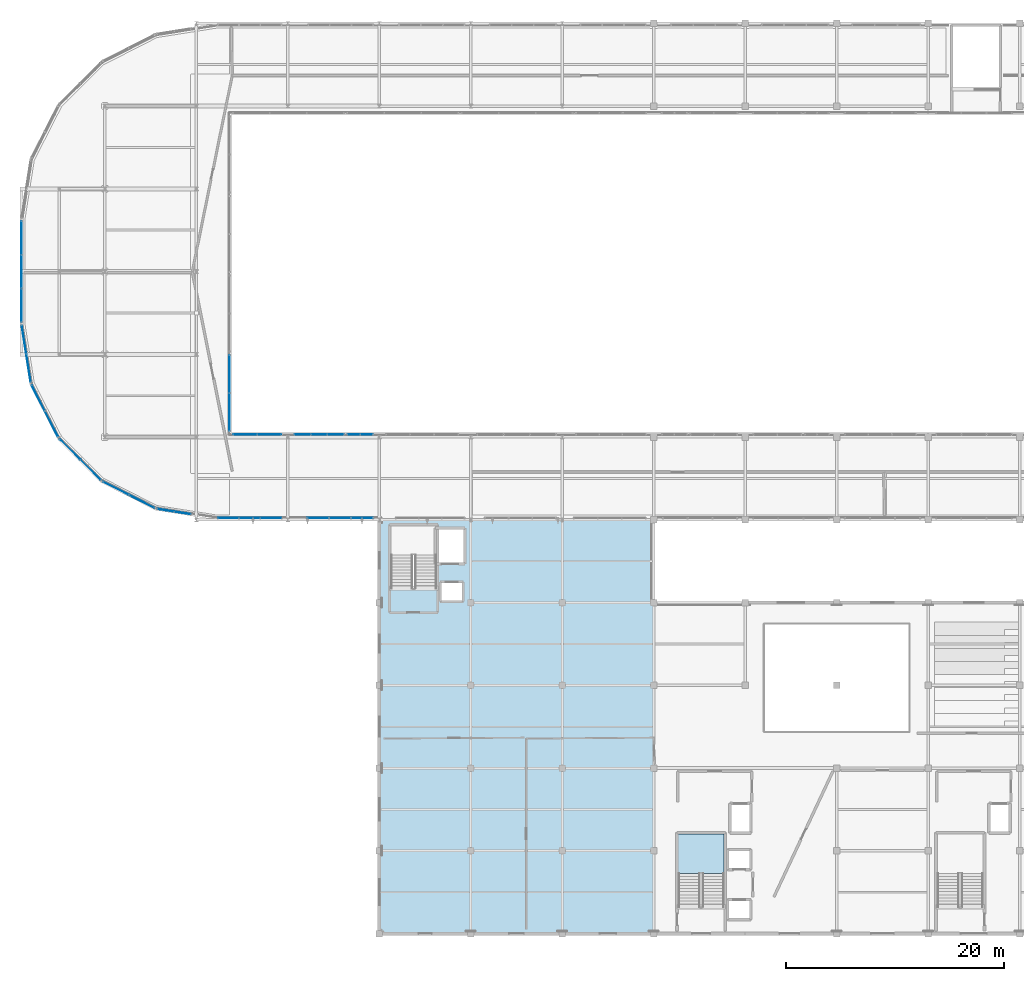
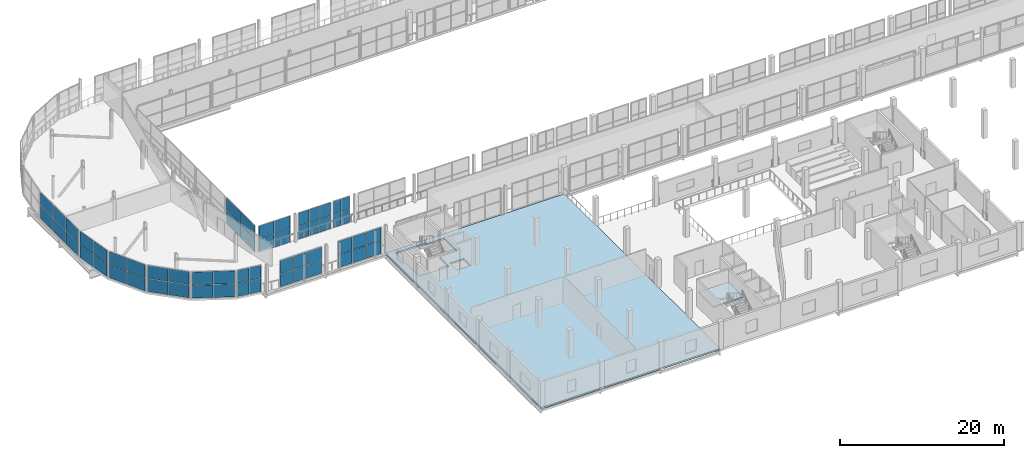
# One storey, part 112 of 151: 56 plates, 2 slabs, 13 elements without a shape of their own.
"""IFC4 building model written with IfcOpenShell, lengths in metres."""

from ifc_helpers import new_model, si_unit, direction, frame, origin, origin_2d, place, context, subcontext, project, spatial, polyline, rectangle, outline, extrude, material, layer, layer_set, type_object, element, aggregate, save


model = new_model("IFC4")

# Units and contexts
model_context = context("Model", 3, precision=1e-05, world=origin(), true_north=direction((0.0, 1.0)))
body_context = subcontext(model_context, "Body", "Model", "MODEL_VIEW")
ifc_project = project(units=[si_unit("LENGTHUNIT", "METRE"), si_unit("AREAUNIT", "SQUARE_METRE"), si_unit("VOLUMEUNIT", "CUBIC_METRE"), si_unit("PLANEANGLEUNIT", "RADIAN"), si_unit("MASSUNIT", "GRAM", prefix="KILO")], contexts=[model_context])

# Site, building, storey
site_placement = place(None, origin())
site = spatial("IfcSite", under=ifc_project, at=site_placement, CompositionType="ELEMENT")
building_placement = place(site_placement, origin())
building = spatial("IfcBuilding", under=site, at=building_placement, Name="Zuvorla Pavilion Media Centre", CompositionType="ELEMENT")
storey_placement = place(building_placement, frame((0.0, 0.0, 13.800048828125)))
storey = spatial("IfcBuildingStorey", under=building, at=storey_placement, Name="L03", CompositionType="ELEMENT", Elevation=13.800048828125)

# Curtain wall, plates
ifc_material_1 = material(Name="Unitised anodised aluminium and solar glass curtain wall", Category="aluminium")
curtain_wall_type_1 = type_object("IfcCurtainWallType", Name="CW-SYS-59", PredefinedType="USERDEFINED", material=ifc_material_1)
curtain_wall_1_placement = place(storey_placement, origin())
curtain_wall_1 = element("IfcCurtainWall", 1, at=curtain_wall_1_placement, inside=storey, type_object=curtain_wall_type_1, Name="L03 curtain wall CW59 126", ObjectType="CURTAIN WALL", PredefinedType="USERDEFINED")
ifc_material_2 = material(Name="Solar control double glazing", Category="glass")
ifc_layer_1 = layer(ifc_material_2, 0.028076171875)
ifc_layer_set_1 = layer_set([ifc_layer_1], Name="Solar control double glazing")
plate_type_1 = type_object("IfcPlateType", Name="CW-PNL-28", PredefinedType="CURTAIN_PANEL", material=ifc_layer_set_1)
plate_1_placement = place(storey_placement, frame((8.739990234375, 69.893310546875, 0.030029296875), z_axis=(0.0, 0.0, 1.0), x_axis=(0.0, -1.0, 0.0)))
plate_1 = element("IfcPlate", 2, at=plate_1_placement, type_object=plate_type_1, Name="CW59 panel 1.1", PredefinedType="CURTAIN_PANEL", context=body_context, shape_type="SweptSolid", body=[
    extrude(rectangle(XDim=3.033447265625, YDim=0.028076171875, at=origin_2d()), origin(), (0.0, 0.0, 1.0), 1.919921875),
])
plate_2_placement = place(storey_placement, frame((8.739990234375, 69.893310546875, 2.010009765625), z_axis=(0.0, 0.0, 1.0), x_axis=(0.0, -1.0, 0.0)))
plate_2 = element("IfcPlate", 3, at=plate_2_placement, type_object=plate_type_1, Name="CW59 panel 1.2", PredefinedType="CURTAIN_PANEL", context=body_context, shape_type="SweptSolid", body=[
    extrude(rectangle(XDim=3.033447265625, YDim=0.028076171875, at=origin_2d()), origin(), (0.0, 0.0, 1.0), 1.919921875),
])
plate_3_placement = place(storey_placement, frame((8.739990234375, 66.800048828125, 0.030029296875), z_axis=(0.0, 0.0, 1.0), x_axis=(0.0, -1.0, 0.0)))
plate_3 = element("IfcPlate", 4, at=plate_3_placement, type_object=plate_type_1, Name="CW59 panel 2.1", PredefinedType="CURTAIN_PANEL", context=body_context, shape_type="SweptSolid", body=[
    extrude(rectangle(XDim=3.033447265625, YDim=0.028076171875, at=origin_2d()), origin(), (0.0, 0.0, 1.0), 1.919921875),
])
plate_4_placement = place(storey_placement, frame((8.739990234375, 66.800048828125, 2.010009765625), z_axis=(0.0, 0.0, 1.0), x_axis=(0.0, -1.0, 0.0)))
plate_4 = element("IfcPlate", 5, at=plate_4_placement, type_object=plate_type_1, Name="CW59 panel 2.2", PredefinedType="CURTAIN_PANEL", context=body_context, shape_type="SweptSolid", body=[
    extrude(rectangle(XDim=3.033447265625, YDim=0.028076171875, at=origin_2d()), origin(), (0.0, 0.0, 1.0), 1.919921875),
])
plate_5_placement = place(storey_placement, frame((8.739990234375, 63.706787109375, 0.030029296875), z_axis=(0.0, 0.0, 1.0), x_axis=(0.0, -1.0, 0.0)))
plate_5 = element("IfcPlate", 6, at=plate_5_placement, type_object=plate_type_1, Name="CW59 panel 3.1", PredefinedType="CURTAIN_PANEL", context=body_context, shape_type="SweptSolid", body=[
    extrude(rectangle(XDim=3.033447265625, YDim=0.028076171875, at=origin_2d()), origin(), (0.0, 0.0, 1.0), 1.919921875),
])
plate_6_placement = place(storey_placement, frame((8.739990234375, 63.706787109375, 2.010009765625), z_axis=(0.0, 0.0, 1.0), x_axis=(0.0, -1.0, 0.0)))
plate_6 = element("IfcPlate", 7, at=plate_6_placement, type_object=plate_type_1, Name="CW59 panel 3.2", PredefinedType="CURTAIN_PANEL", context=body_context, shape_type="SweptSolid", body=[
    extrude(rectangle(XDim=3.033447265625, YDim=0.028076171875, at=origin_2d()), origin(), (0.0, 0.0, 1.0), 1.919921875),
])
aggregate(curtain_wall_1, [plate_1, plate_2, plate_3, plate_4, plate_5, plate_6])

curtain_wall_type_2 = type_object("IfcCurtainWallType", Name="CW-SYS-04", PredefinedType="USERDEFINED", material=ifc_material_1)
curtain_wall_2_placement = place(storey_placement, origin())
curtain_wall_2 = element("IfcCurtainWall", 8, at=curtain_wall_2_placement, inside=storey, type_object=curtain_wall_type_2, Name="L03 curtain wall CW04 129", ObjectType="CURTAIN WALL", PredefinedType="USERDEFINED")
plate_7_placement = place(storey_placement, frame((13.188720703125, 50.466796875, 0.030029296875), z_axis=(0.0, 0.0, 1.0), x_axis=(0.707106781187, -0.707106781187, 0.0)))
plate_7 = element("IfcPlate", 9, at=plate_7_placement, type_object=plate_type_1, Name="CW04 panel 1.1", PredefinedType="CURTAIN_PANEL", context=body_context, shape_type="SweptSolid", body=[
    extrude(rectangle(XDim=2.595947265625, YDim=0.028076171875, at=origin_2d()), origin(), (0.0, 0.0, 1.0), 1.919921875),
])
plate_8_placement = place(storey_placement, frame((13.188720703125, 50.466796875, 2.010009765625), z_axis=(0.0, 0.0, 1.0), x_axis=(0.707106781187, -0.707106781187, 0.0)))
plate_8 = element("IfcPlate", 10, at=plate_8_placement, type_object=plate_type_1, Name="CW04 panel 1.2", PredefinedType="CURTAIN_PANEL", context=body_context, shape_type="SweptSolid", body=[
    extrude(rectangle(XDim=2.595947265625, YDim=0.028076171875, at=origin_2d()), origin(), (0.0, 0.0, 1.0), 1.919921875),
])
plate_9_placement = place(storey_placement, frame((15.06689453125, 48.5888671875, 0.030029296875), z_axis=(0.0, 0.0, 1.0), x_axis=(0.707106781187, -0.707106781187, 0.0)))
plate_9 = element("IfcPlate", 11, at=plate_9_placement, type_object=plate_type_1, Name="CW04 panel 2.1", PredefinedType="CURTAIN_PANEL", context=body_context, shape_type="SweptSolid", body=[
    extrude(rectangle(XDim=2.595947265625, YDim=0.028076171875, at=origin_2d()), origin(), (0.0, 0.0, 1.0), 1.919921875),
])
plate_10_placement = place(storey_placement, frame((15.06689453125, 48.5888671875, 2.010009765625), z_axis=(0.0, 0.0, 1.0), x_axis=(0.707106781187, -0.707106781187, 0.0)))
plate_10 = element("IfcPlate", 12, at=plate_10_placement, type_object=plate_type_1, Name="CW04 panel 2.2", PredefinedType="CURTAIN_PANEL", context=body_context, shape_type="SweptSolid", body=[
    extrude(rectangle(XDim=2.595947265625, YDim=0.028076171875, at=origin_2d()), origin(), (0.0, 0.0, 1.0), 1.919921875),
])
aggregate(curtain_wall_2, [plate_7, plate_8, plate_9, plate_10])

curtain_wall_type_3 = type_object("IfcCurtainWallType", Name="CW-SYS-28", PredefinedType="USERDEFINED", material=ifc_material_1)
curtain_wall_3_placement = place(storey_placement, origin())
curtain_wall_3 = element("IfcCurtainWall", 13, at=curtain_wall_3_placement, inside=storey, type_object=curtain_wall_type_3, Name="L03 curtain wall CW28 148", ObjectType="CURTAIN WALL", PredefinedType="USERDEFINED")
plate_11_placement = place(storey_placement, frame((29.2744140625, 51.840087890625, 0.030029296875), z_axis=(0.0, 0.0, 1.0), x_axis=(1.0, 0.0, 0.0)))
plate_11 = element("IfcPlate", 14, at=plate_11_placement, type_object=plate_type_1, Name="CW28 panel 1.1", PredefinedType="CURTAIN_PANEL", context=body_context, shape_type="SweptSolid", body=[
    extrude(rectangle(XDim=2.1689453125, YDim=0.028076171875, at=origin_2d()), origin(), (0.0, 0.0, 1.0), 1.919921875),
])
plate_12_placement = place(storey_placement, frame((29.2744140625, 51.840087890625, 2.010009765625), z_axis=(0.0, 0.0, 1.0), x_axis=(1.0, 0.0, 0.0)))
plate_12 = element("IfcPlate", 15, at=plate_12_placement, type_object=plate_type_1, Name="CW28 panel 1.2", PredefinedType="CURTAIN_PANEL", context=body_context, shape_type="SweptSolid", body=[
    extrude(rectangle(XDim=2.1689453125, YDim=0.028076171875, at=origin_2d()), origin(), (0.0, 0.0, 1.0), 1.919921875),
])
plate_13_placement = place(storey_placement, frame((31.503662109375, 51.840087890625, 0.030029296875), z_axis=(0.0, 0.0, 1.0), x_axis=(1.0, 0.0, 0.0)))
plate_13 = element("IfcPlate", 16, at=plate_13_placement, type_object=plate_type_1, Name="CW28 panel 2.1", PredefinedType="CURTAIN_PANEL", context=body_context, shape_type="SweptSolid", body=[
    extrude(rectangle(XDim=2.1689453125, YDim=0.028076171875, at=origin_2d()), origin(), (0.0, 0.0, 1.0), 1.919921875),
])
plate_14_placement = place(storey_placement, frame((31.503662109375, 51.840087890625, 2.010009765625), z_axis=(0.0, 0.0, 1.0), x_axis=(1.0, 0.0, 0.0)))
plate_14 = element("IfcPlate", 17, at=plate_14_placement, type_object=plate_type_1, Name="CW28 panel 2.2", PredefinedType="CURTAIN_PANEL", context=body_context, shape_type="SweptSolid", body=[
    extrude(rectangle(XDim=2.1689453125, YDim=0.028076171875, at=origin_2d()), origin(), (0.0, 0.0, 1.0), 1.919921875),
])
aggregate(curtain_wall_3, [plate_11, plate_12, plate_13, plate_14])

curtain_wall_type_4 = type_object("IfcCurtainWallType", Name="CW-SYS-29", PredefinedType="USERDEFINED", material=ifc_material_1)
curtain_wall_4_placement = place(storey_placement, origin())
curtain_wall_4 = element("IfcCurtainWall", 18, at=curtain_wall_4_placement, inside=storey, type_object=curtain_wall_type_4, Name="L03 curtain wall CW29 149", ObjectType="CURTAIN WALL", PredefinedType="USERDEFINED")
plate_15_placement = place(storey_placement, frame((34.54150390625, 51.840087890625, 0.030029296875), z_axis=(0.0, 0.0, 1.0), x_axis=(1.0, 0.0, 0.0)))
plate_15 = element("IfcPlate", 19, at=plate_15_placement, type_object=plate_type_1, Name="CW29 panel 1.1", PredefinedType="CURTAIN_PANEL", context=body_context, shape_type="SweptSolid", body=[
    extrude(rectangle(XDim=1.45947265625, YDim=0.028076171875, at=origin_2d()), origin(), (0.0, 0.0, 1.0), 1.919921875),
])
plate_16_placement = place(storey_placement, frame((34.54150390625, 51.840087890625, 2.010009765625), z_axis=(0.0, 0.0, 1.0), x_axis=(1.0, 0.0, 0.0)))
plate_16 = element("IfcPlate", 20, at=plate_16_placement, type_object=plate_type_1, Name="CW29 panel 1.2", PredefinedType="CURTAIN_PANEL", context=body_context, shape_type="SweptSolid", body=[
    extrude(rectangle(XDim=1.45947265625, YDim=0.028076171875, at=origin_2d()), origin(), (0.0, 0.0, 1.0), 1.919921875),
])
plate_17_placement = place(storey_placement, frame((36.06103515625, 51.840087890625, 0.030029296875), z_axis=(0.0, 0.0, 1.0), x_axis=(1.0, 0.0, 0.0)))
plate_17 = element("IfcPlate", 21, at=plate_17_placement, type_object=plate_type_1, Name="CW29 panel 2.1", PredefinedType="CURTAIN_PANEL", context=body_context, shape_type="SweptSolid", body=[
    extrude(rectangle(XDim=1.45947265625, YDim=0.028076171875, at=origin_2d()), origin(), (0.0, 0.0, 1.0), 1.919921875),
])
plate_18_placement = place(storey_placement, frame((36.06103515625, 51.840087890625, 2.010009765625), z_axis=(0.0, 0.0, 1.0), x_axis=(1.0, 0.0, 0.0)))
plate_18 = element("IfcPlate", 22, at=plate_18_placement, type_object=plate_type_1, Name="CW29 panel 2.2", PredefinedType="CURTAIN_PANEL", context=body_context, shape_type="SweptSolid", body=[
    extrude(rectangle(XDim=1.45947265625, YDim=0.028076171875, at=origin_2d()), origin(), (0.0, 0.0, 1.0), 1.919921875),
])
plate_19_placement = place(storey_placement, frame((37.580322265625, 51.840087890625, 0.030029296875), z_axis=(0.0, 0.0, 1.0), x_axis=(1.0, 0.0, 0.0)))
plate_19 = element("IfcPlate", 23, at=plate_19_placement, type_object=plate_type_1, Name="CW29 panel 3.1", PredefinedType="CURTAIN_PANEL", context=body_context, shape_type="SweptSolid", body=[
    extrude(rectangle(XDim=1.45947265625, YDim=0.028076171875, at=origin_2d()), origin(), (0.0, 0.0, 1.0), 1.919921875),
])
plate_20_placement = place(storey_placement, frame((37.580322265625, 51.840087890625, 2.010009765625), z_axis=(0.0, 0.0, 1.0), x_axis=(1.0, 0.0, 0.0)))
plate_20 = element("IfcPlate", 24, at=plate_20_placement, type_object=plate_type_1, Name="CW29 panel 3.2", PredefinedType="CURTAIN_PANEL", context=body_context, shape_type="SweptSolid", body=[
    extrude(rectangle(XDim=1.45947265625, YDim=0.028076171875, at=origin_2d()), origin(), (0.0, 0.0, 1.0), 1.919921875),
])
aggregate(curtain_wall_4, [plate_15, plate_16, plate_17, plate_18, plate_19, plate_20])

curtain_wall_type_5 = type_object("IfcCurtainWallType", Name="CW-SYS-02", PredefinedType="USERDEFINED", material=ifc_material_1)
curtain_wall_5_placement = place(storey_placement, origin())
curtain_wall_5 = element("IfcCurtainWall", 25, at=curtain_wall_5_placement, inside=storey, type_object=curtain_wall_type_5, Name="L03 curtain wall CW02 127", ObjectType="CURTAIN WALL", PredefinedType="USERDEFINED")
ifc_material_3 = material(Name="Acoustic laminated solar glazing", Category="glass")
ifc_layer_2 = layer(ifc_material_3, 0.033935546875)
ifc_layer_set_2 = layer_set([ifc_layer_2], Name="Acoustic laminated solar glazing")
plate_type_2 = type_object("IfcPlateType", Name="CW-PNL-34", PredefinedType="CURTAIN_PANEL", material=ifc_layer_set_2)
plate_21_placement = place(storey_placement, frame((8.970947265625, 60.55224609375, 0.030029296875), z_axis=(0.0, 0.0, 1.0), x_axis=(0.156428534885, -0.987689279821, 0.0)))
plate_21 = element("IfcPlate", 26, at=plate_21_placement, type_object=plate_type_2, Name="CW02 panel 1.1", PredefinedType="CURTAIN_PANEL", context=body_context, shape_type="SweptSolid", body=[
    extrude(rectangle(XDim=2.595947265625, YDim=0.033935546875, at=origin_2d()), origin(), (0.0, 0.0, 1.0), 1.919921875),
])
plate_22_placement = place(storey_placement, frame((8.970947265625, 60.55224609375, 2.010009765625), z_axis=(0.0, 0.0, 1.0), x_axis=(0.156428534885, -0.987689279821, 0.0)))
plate_22 = element("IfcPlate", 27, at=plate_22_placement, type_object=plate_type_2, Name="CW02 panel 1.2", PredefinedType="CURTAIN_PANEL", context=body_context, shape_type="SweptSolid", body=[
    extrude(rectangle(XDim=2.595947265625, YDim=0.033935546875, at=origin_2d()), origin(), (0.0, 0.0, 1.0), 1.919921875),
])
plate_23_placement = place(storey_placement, frame((9.386474609375, 57.92919921875, 0.030029296875), z_axis=(0.0, 0.0, 1.0), x_axis=(0.156428534885, -0.987689279821, 0.0)))
plate_23 = element("IfcPlate", 28, at=plate_23_placement, type_object=plate_type_2, Name="CW02 panel 2.1", PredefinedType="CURTAIN_PANEL", context=body_context, shape_type="SweptSolid", body=[
    extrude(rectangle(XDim=2.595947265625, YDim=0.033935546875, at=origin_2d()), origin(), (0.0, 0.0, 1.0), 1.919921875),
])
plate_24_placement = place(storey_placement, frame((9.386474609375, 57.92919921875, 2.010009765625), z_axis=(0.0, 0.0, 1.0), x_axis=(0.156428534885, -0.987689279821, 0.0)))
plate_24 = element("IfcPlate", 29, at=plate_24_placement, type_object=plate_type_2, Name="CW02 panel 2.2", PredefinedType="CURTAIN_PANEL", context=body_context, shape_type="SweptSolid", body=[
    extrude(rectangle(XDim=2.595947265625, YDim=0.033935546875, at=origin_2d()), origin(), (0.0, 0.0, 1.0), 1.919921875),
])
aggregate(curtain_wall_5, [plate_21, plate_22, plate_23, plate_24])

curtain_wall_6_placement = place(storey_placement, origin())
curtain_wall_6 = element("IfcCurtainWall", 30, at=curtain_wall_6_placement, inside=storey, type_object=curtain_wall_type_5, Name="L03 curtain wall CW02 130", ObjectType="CURTAIN WALL", PredefinedType="USERDEFINED")
plate_25_placement = place(storey_placement, frame((17.4091796875, 46.886962890625, 0.030029296875), z_axis=(0.0, 0.0, 1.0), x_axis=(0.891008892216, -0.453985852193, 0.0)))
plate_25 = element("IfcPlate", 31, at=plate_25_placement, type_object=plate_type_2, Name="CW02 panel 1.1", PredefinedType="CURTAIN_PANEL", context=body_context, shape_type="SweptSolid", body=[
    extrude(rectangle(XDim=2.595703125, YDim=0.033935546875, at=origin_2d()), origin(), (0.0, 0.0, 1.0), 1.919921875),
])
plate_26_placement = place(storey_placement, frame((17.4091796875, 46.886962890625, 2.010009765625), z_axis=(0.0, 0.0, 1.0), x_axis=(0.891008892216, -0.453985852193, 0.0)))
plate_26 = element("IfcPlate", 32, at=plate_26_placement, type_object=plate_type_2, Name="CW02 panel 1.2", PredefinedType="CURTAIN_PANEL", context=body_context, shape_type="SweptSolid", body=[
    extrude(rectangle(XDim=2.595703125, YDim=0.033935546875, at=origin_2d()), origin(), (0.0, 0.0, 1.0), 1.919921875),
])
plate_27_placement = place(storey_placement, frame((19.775634765625, 45.68115234375, 0.030029296875), z_axis=(0.0, 0.0, 1.0), x_axis=(0.891008892216, -0.453985852193, 0.0)))
plate_27 = element("IfcPlate", 33, at=plate_27_placement, type_object=plate_type_2, Name="CW02 panel 2.1", PredefinedType="CURTAIN_PANEL", context=body_context, shape_type="SweptSolid", body=[
    extrude(rectangle(XDim=2.595703125, YDim=0.033935546875, at=origin_2d()), origin(), (0.0, 0.0, 1.0), 1.919921875),
])
plate_28_placement = place(storey_placement, frame((19.775634765625, 45.68115234375, 2.010009765625), z_axis=(0.0, 0.0, 1.0), x_axis=(0.891008892216, -0.453985852193, 0.0)))
plate_28 = element("IfcPlate", 34, at=plate_28_placement, type_object=plate_type_2, Name="CW02 panel 2.2", PredefinedType="CURTAIN_PANEL", context=body_context, shape_type="SweptSolid", body=[
    extrude(rectangle(XDim=2.595703125, YDim=0.033935546875, at=origin_2d()), origin(), (0.0, 0.0, 1.0), 1.919921875),
])
aggregate(curtain_wall_6, [plate_25, plate_26, plate_27, plate_28])

curtain_wall_type_6 = type_object("IfcCurtainWallType", Name="CW-SYS-19", PredefinedType="USERDEFINED", material=ifc_material_1)
curtain_wall_7_placement = place(storey_placement, origin())
curtain_wall_7 = element("IfcCurtainWall", 35, at=curtain_wall_7_placement, inside=storey, type_object=curtain_wall_type_6, Name="L03 curtain wall CW19 132", ObjectType="CURTAIN WALL", PredefinedType="USERDEFINED")
plate_29_placement = place(storey_placement, frame((27.736328125, 44.159912109375, 0.030029296875), z_axis=(0.0, 0.0, 1.0), x_axis=(1.0, 0.0, 0.0)))
plate_29 = element("IfcPlate", 36, at=plate_29_placement, type_object=plate_type_2, Name="CW19 panel 1.1", PredefinedType="CURTAIN_PANEL", context=body_context, shape_type="SweptSolid", body=[
    extrude(rectangle(XDim=1.892578125, YDim=0.033935546875, at=origin_2d()), origin(), (0.0, 0.0, 1.0), 1.919921875),
])
plate_30_placement = place(storey_placement, frame((27.736328125, 44.159912109375, 2.010009765625), z_axis=(0.0, 0.0, 1.0), x_axis=(1.0, 0.0, 0.0)))
plate_30 = element("IfcPlate", 37, at=plate_30_placement, type_object=plate_type_2, Name="CW19 panel 1.2", PredefinedType="CURTAIN_PANEL", context=body_context, shape_type="SweptSolid", body=[
    extrude(rectangle(XDim=1.892578125, YDim=0.033935546875, at=origin_2d()), origin(), (0.0, 0.0, 1.0), 1.919921875),
])
plate_31_placement = place(storey_placement, frame((29.68896484375, 44.159912109375, 0.030029296875), z_axis=(0.0, 0.0, 1.0), x_axis=(1.0, 0.0, 0.0)))
plate_31 = element("IfcPlate", 38, at=plate_31_placement, type_object=plate_type_2, Name="CW19 panel 2.1", PredefinedType="CURTAIN_PANEL", context=body_context, shape_type="SweptSolid", body=[
    extrude(rectangle(XDim=1.892578125, YDim=0.033935546875, at=origin_2d()), origin(), (0.0, 0.0, 1.0), 1.919921875),
])
plate_32_placement = place(storey_placement, frame((29.68896484375, 44.159912109375, 2.010009765625), z_axis=(0.0, 0.0, 1.0), x_axis=(1.0, 0.0, 0.0)))
plate_32 = element("IfcPlate", 39, at=plate_32_placement, type_object=plate_type_2, Name="CW19 panel 2.2", PredefinedType="CURTAIN_PANEL", context=body_context, shape_type="SweptSolid", body=[
    extrude(rectangle(XDim=1.892578125, YDim=0.033935546875, at=origin_2d()), origin(), (0.0, 0.0, 1.0), 1.919921875),
])
plate_33_placement = place(storey_placement, frame((31.641845703125, 44.159912109375, 0.030029296875), z_axis=(0.0, 0.0, 1.0), x_axis=(1.0, 0.0, 0.0)))
plate_33 = element("IfcPlate", 40, at=plate_33_placement, type_object=plate_type_2, Name="CW19 panel 3.1", PredefinedType="CURTAIN_PANEL", context=body_context, shape_type="SweptSolid", body=[
    extrude(rectangle(XDim=1.892578125, YDim=0.033935546875, at=origin_2d()), origin(), (0.0, 0.0, 1.0), 1.919921875),
])
plate_34_placement = place(storey_placement, frame((31.641845703125, 44.159912109375, 2.010009765625), z_axis=(0.0, 0.0, 1.0), x_axis=(1.0, 0.0, 0.0)))
plate_34 = element("IfcPlate", 41, at=plate_34_placement, type_object=plate_type_2, Name="CW19 panel 3.2", PredefinedType="CURTAIN_PANEL", context=body_context, shape_type="SweptSolid", body=[
    extrude(rectangle(XDim=1.892578125, YDim=0.033935546875, at=origin_2d()), origin(), (0.0, 0.0, 1.0), 1.919921875),
])
aggregate(curtain_wall_7, [plate_29, plate_30, plate_31, plate_32, plate_33, plate_34])

curtain_wall_type_7 = type_object("IfcCurtainWallType", Name="CW-SYS-31", PredefinedType="USERDEFINED", material=ifc_material_1)
curtain_wall_8_placement = place(storey_placement, origin())
curtain_wall_8 = element("IfcCurtainWall", 42, at=curtain_wall_8_placement, inside=storey, type_object=curtain_wall_type_7, Name="L03 curtain wall CW31 151", ObjectType="CURTAIN WALL", PredefinedType="USERDEFINED")
plate_35_placement = place(storey_placement, frame((39.24951171875, 51.840087890625, 0.030029296875), z_axis=(0.0, 0.0, 1.0), x_axis=(1.0, 0.0, 0.0)))
plate_35 = element("IfcPlate", 43, at=plate_35_placement, type_object=plate_type_2, Name="CW31 panel 1.1", PredefinedType="CURTAIN_PANEL", context=body_context, shape_type="SweptSolid", body=[
    extrude(rectangle(XDim=1.119140625, YDim=0.033935546875, at=origin_2d()), origin(), (0.0, 0.0, 1.0), 1.919921875),
])
plate_36_placement = place(storey_placement, frame((39.24951171875, 51.840087890625, 2.010009765625), z_axis=(0.0, 0.0, 1.0), x_axis=(1.0, 0.0, 0.0)))
plate_36 = element("IfcPlate", 44, at=plate_36_placement, type_object=plate_type_2, Name="CW31 panel 1.2", PredefinedType="CURTAIN_PANEL", context=body_context, shape_type="SweptSolid", body=[
    extrude(rectangle(XDim=1.119140625, YDim=0.033935546875, at=origin_2d()), origin(), (0.0, 0.0, 1.0), 1.919921875),
])
plate_37_placement = place(storey_placement, frame((40.428466796875, 51.840087890625, 0.030029296875), z_axis=(0.0, 0.0, 1.0), x_axis=(1.0, 0.0, 0.0)))
plate_37 = element("IfcPlate", 45, at=plate_37_placement, type_object=plate_type_2, Name="CW31 panel 2.1", PredefinedType="CURTAIN_PANEL", context=body_context, shape_type="SweptSolid", body=[
    extrude(rectangle(XDim=1.119140625, YDim=0.033935546875, at=origin_2d()), origin(), (0.0, 0.0, 1.0), 1.919921875),
])
plate_38_placement = place(storey_placement, frame((40.428466796875, 51.840087890625, 2.010009765625), z_axis=(0.0, 0.0, 1.0), x_axis=(1.0, 0.0, 0.0)))
plate_38 = element("IfcPlate", 46, at=plate_38_placement, type_object=plate_type_2, Name="CW31 panel 2.2", PredefinedType="CURTAIN_PANEL", context=body_context, shape_type="SweptSolid", body=[
    extrude(rectangle(XDim=1.119140625, YDim=0.033935546875, at=origin_2d()), origin(), (0.0, 0.0, 1.0), 1.919921875),
])
aggregate(curtain_wall_8, [plate_35, plate_36, plate_37, plate_38])

curtain_wall_type_8 = type_object("IfcCurtainWallType", Name="CW-SYS-03", PredefinedType="USERDEFINED", material=ifc_material_1)
curtain_wall_9_placement = place(storey_placement, origin())
curtain_wall_9 = element("IfcCurtainWall", 47, at=curtain_wall_9_placement, inside=storey, type_object=curtain_wall_type_8, Name="L03 curtain wall CW03 128", ObjectType="CURTAIN WALL", PredefinedType="USERDEFINED")
ifc_material_4 = material(Name="Triple acoustic broadcast glazing", Category="glass")
ifc_layer_3 = layer(ifc_material_4, 0.0419921875)
ifc_layer_set_3 = layer_set([ifc_layer_3], Name="Triple acoustic broadcast glazing")
plate_type_3 = type_object("IfcPlateType", Name="CW-PNL-42", PredefinedType="CURTAIN_PANEL", material=ifc_layer_set_3)
plate_39_placement = place(storey_placement, frame((10.28125, 55.175537109375, 0.030029296875), z_axis=(0.0, 0.0, 1.0), x_axis=(0.453985852193, -0.891008892216, 0.0)))
plate_39 = element("IfcPlate", 48, at=plate_39_placement, type_object=plate_type_3, Name="CW03 panel 1.1", PredefinedType="CURTAIN_PANEL", context=body_context, shape_type="SweptSolid", body=[
    extrude(rectangle(XDim=2.595703125, YDim=0.0419921875, at=origin_2d()), origin(), (0.0, 0.0, 1.0), 1.919921875),
])
plate_40_placement = place(storey_placement, frame((10.28125, 55.175537109375, 2.010009765625), z_axis=(0.0, 0.0, 1.0), x_axis=(0.453985852193, -0.891008892216, 0.0)))
plate_40 = element("IfcPlate", 49, at=plate_40_placement, type_object=plate_type_3, Name="CW03 panel 1.2", PredefinedType="CURTAIN_PANEL", context=body_context, shape_type="SweptSolid", body=[
    extrude(rectangle(XDim=2.595703125, YDim=0.0419921875, at=origin_2d()), origin(), (0.0, 0.0, 1.0), 1.919921875),
])
plate_41_placement = place(storey_placement, frame((11.487060546875, 52.80908203125, 0.030029296875), z_axis=(0.0, 0.0, 1.0), x_axis=(0.453985852193, -0.891008892216, 0.0)))
plate_41 = element("IfcPlate", 50, at=plate_41_placement, type_object=plate_type_3, Name="CW03 panel 2.1", PredefinedType="CURTAIN_PANEL", context=body_context, shape_type="SweptSolid", body=[
    extrude(rectangle(XDim=2.595703125, YDim=0.0419921875, at=origin_2d()), origin(), (0.0, 0.0, 1.0), 1.919921875),
])
plate_42_placement = place(storey_placement, frame((11.487060546875, 52.80908203125, 2.010009765625), z_axis=(0.0, 0.0, 1.0), x_axis=(0.453985852193, -0.891008892216, 0.0)))
plate_42 = element("IfcPlate", 51, at=plate_42_placement, type_object=plate_type_3, Name="CW03 panel 2.2", PredefinedType="CURTAIN_PANEL", context=body_context, shape_type="SweptSolid", body=[
    extrude(rectangle(XDim=2.595703125, YDim=0.0419921875, at=origin_2d()), origin(), (0.0, 0.0, 1.0), 1.919921875),
])
aggregate(curtain_wall_9, [plate_39, plate_40, plate_41, plate_42])

curtain_wall_type_9 = type_object("IfcCurtainWallType", Name="CW-SYS-60", PredefinedType="USERDEFINED", material=ifc_material_1)
curtain_wall_10_placement = place(storey_placement, origin())
curtain_wall_10 = element("IfcCurtainWall", 52, at=curtain_wall_10_placement, inside=storey, type_object=curtain_wall_type_9, Name="L03 curtain wall CW60 131", ObjectType="CURTAIN WALL", PredefinedType="USERDEFINED")
plate_43_placement = place(storey_placement, frame((21.986083984375, 44.87255859375, 0.030029296875), z_axis=(0.0, 0.0, 1.0), x_axis=(0.987688857741, -0.156431199877, 0.0)))
plate_43 = element("IfcPlate", 53, at=plate_43_placement, type_object=plate_type_3, Name="CW60 panel 1.1", PredefinedType="CURTAIN_PANEL", context=body_context, shape_type="SweptSolid", body=[
    extrude(rectangle(XDim=1.495849609375, YDim=0.0419921875, at=origin_2d()), origin(), (0.0, 0.0, 1.0), 1.919921875),
])
plate_44_placement = place(storey_placement, frame((21.986083984375, 44.87255859375, 2.010009765625), z_axis=(0.0, 0.0, 1.0), x_axis=(0.987688857741, -0.156431199877, 0.0)))
plate_44 = element("IfcPlate", 54, at=plate_44_placement, type_object=plate_type_3, Name="CW60 panel 1.2", PredefinedType="CURTAIN_PANEL", context=body_context, shape_type="SweptSolid", body=[
    extrude(rectangle(XDim=1.495849609375, YDim=0.0419921875, at=origin_2d()), origin(), (0.0, 0.0, 1.0), 1.919921875),
])
plate_45_placement = place(storey_placement, frame((23.522705078125, 44.629150390625, 0.030029296875), z_axis=(0.0, 0.0, 1.0), x_axis=(0.987688857741, -0.156431199877, 0.0)))
plate_45 = element("IfcPlate", 55, at=plate_45_placement, type_object=plate_type_3, Name="CW60 panel 2.1", PredefinedType="CURTAIN_PANEL", context=body_context, shape_type="SweptSolid", body=[
    extrude(rectangle(XDim=1.495849609375, YDim=0.0419921875, at=origin_2d()), origin(), (0.0, 0.0, 1.0), 1.919921875),
])
plate_46_placement = place(storey_placement, frame((23.522705078125, 44.629150390625, 2.010009765625), z_axis=(0.0, 0.0, 1.0), x_axis=(0.987688857741, -0.156431199877, 0.0)))
plate_46 = element("IfcPlate", 56, at=plate_46_placement, type_object=plate_type_3, Name="CW60 panel 2.2", PredefinedType="CURTAIN_PANEL", context=body_context, shape_type="SweptSolid", body=[
    extrude(rectangle(XDim=1.495849609375, YDim=0.0419921875, at=origin_2d()), origin(), (0.0, 0.0, 1.0), 1.919921875),
])
aggregate(curtain_wall_10, [plate_43, plate_44, plate_45, plate_46])

curtain_wall_type_10 = type_object("IfcCurtainWallType", Name="CW-SYS-65", PredefinedType="USERDEFINED", material=ifc_material_1)
curtain_wall_11_placement = place(storey_placement, origin())
curtain_wall_11 = element("IfcCurtainWall", 57, at=curtain_wall_11_placement, inside=storey, type_object=curtain_wall_type_10, Name="L03 curtain wall CW65 133", ObjectType="CURTAIN WALL", PredefinedType="USERDEFINED")
plate_47_placement = place(storey_placement, frame((35.94873046875, 44.159912109375, 0.030029296875), z_axis=(0.0, 0.0, 1.0), x_axis=(1.0, 0.0, 0.0)))
plate_47 = element("IfcPlate", 58, at=plate_47_placement, type_object=plate_type_3, Name="CW65 panel 1.1", PredefinedType="CURTAIN_PANEL", context=body_context, shape_type="SweptSolid", body=[
    extrude(rectangle(XDim=1.9677734375, YDim=0.0419921875, at=origin_2d()), origin(), (0.0, 0.0, 1.0), 1.919921875),
])
plate_48_placement = place(storey_placement, frame((35.94873046875, 44.159912109375, 2.010009765625), z_axis=(0.0, 0.0, 1.0), x_axis=(1.0, 0.0, 0.0)))
plate_48 = element("IfcPlate", 59, at=plate_48_placement, type_object=plate_type_3, Name="CW65 panel 1.2", PredefinedType="CURTAIN_PANEL", context=body_context, shape_type="SweptSolid", body=[
    extrude(rectangle(XDim=1.9677734375, YDim=0.0419921875, at=origin_2d()), origin(), (0.0, 0.0, 1.0), 1.919921875),
])
plate_49_placement = place(storey_placement, frame((37.9765625, 44.159912109375, 0.030029296875), z_axis=(0.0, 0.0, 1.0), x_axis=(1.0, 0.0, 0.0)))
plate_49 = element("IfcPlate", 60, at=plate_49_placement, type_object=plate_type_3, Name="CW65 panel 2.1", PredefinedType="CURTAIN_PANEL", context=body_context, shape_type="SweptSolid", body=[
    extrude(rectangle(XDim=1.9677734375, YDim=0.0419921875, at=origin_2d()), origin(), (0.0, 0.0, 1.0), 1.919921875),
])
plate_50_placement = place(storey_placement, frame((37.9765625, 44.159912109375, 2.010009765625), z_axis=(0.0, 0.0, 1.0), x_axis=(1.0, 0.0, 0.0)))
plate_50 = element("IfcPlate", 61, at=plate_50_placement, type_object=plate_type_3, Name="CW65 panel 2.2", PredefinedType="CURTAIN_PANEL", context=body_context, shape_type="SweptSolid", body=[
    extrude(rectangle(XDim=1.9677734375, YDim=0.0419921875, at=origin_2d()), origin(), (0.0, 0.0, 1.0), 1.919921875),
])
plate_51_placement = place(storey_placement, frame((40.004150390625, 44.159912109375, 0.030029296875), z_axis=(0.0, 0.0, 1.0), x_axis=(1.0, 0.0, 0.0)))
plate_51 = element("IfcPlate", 62, at=plate_51_placement, type_object=plate_type_3, Name="CW65 panel 3.1", PredefinedType="CURTAIN_PANEL", context=body_context, shape_type="SweptSolid", body=[
    extrude(rectangle(XDim=1.9677734375, YDim=0.0419921875, at=origin_2d()), origin(), (0.0, 0.0, 1.0), 1.919921875),
])
plate_52_placement = place(storey_placement, frame((40.004150390625, 44.159912109375, 2.010009765625), z_axis=(0.0, 0.0, 1.0), x_axis=(1.0, 0.0, 0.0)))
plate_52 = element("IfcPlate", 63, at=plate_52_placement, type_object=plate_type_3, Name="CW65 panel 3.2", PredefinedType="CURTAIN_PANEL", context=body_context, shape_type="SweptSolid", body=[
    extrude(rectangle(XDim=1.9677734375, YDim=0.0419921875, at=origin_2d()), origin(), (0.0, 0.0, 1.0), 1.919921875),
])
aggregate(curtain_wall_11, [plate_47, plate_48, plate_49, plate_50, plate_51, plate_52])

curtain_wall_type_11 = type_object("IfcCurtainWallType", Name="CW-SYS-57", PredefinedType="USERDEFINED", material=ifc_material_1)
curtain_wall_12_placement = place(storey_placement, origin())
curtain_wall_12 = element("IfcCurtainWall", 64, at=curtain_wall_12_placement, inside=storey, type_object=curtain_wall_type_11, Name="L03 curtain wall CW57 186", ObjectType="CURTAIN WALL", PredefinedType="USERDEFINED")
plate_53_placement = place(storey_placement, frame((27.840087890625, 57.39501953125, 0.030029296875), z_axis=(0.0, 0.0, 1.0), x_axis=(0.0, -1.0, 0.0)))
plate_53 = element("IfcPlate", 65, at=plate_53_placement, type_object=plate_type_3, Name="CW57 panel 1.1", PredefinedType="CURTAIN_PANEL", context=body_context, shape_type="SweptSolid", body=[
    extrude(rectangle(XDim=3.429931640625, YDim=0.0419921875, at=origin_2d()), origin(), (0.0, 0.0, 1.0), 1.919921875),
])
plate_54_placement = place(storey_placement, frame((27.840087890625, 57.39501953125, 2.010009765625), z_axis=(0.0, 0.0, 1.0), x_axis=(0.0, -1.0, 0.0)))
plate_54 = element("IfcPlate", 66, at=plate_54_placement, type_object=plate_type_3, Name="CW57 panel 1.2", PredefinedType="CURTAIN_PANEL", context=body_context, shape_type="SweptSolid", body=[
    extrude(rectangle(XDim=3.429931640625, YDim=0.0419921875, at=origin_2d()), origin(), (0.0, 0.0, 1.0), 1.919921875),
])
plate_55_placement = place(storey_placement, frame((27.840087890625, 53.905029296875, 0.030029296875), z_axis=(0.0, 0.0, 1.0), x_axis=(0.0, -1.0, 0.0)))
plate_55 = element("IfcPlate", 67, at=plate_55_placement, type_object=plate_type_3, Name="CW57 panel 2.1", PredefinedType="CURTAIN_PANEL", context=body_context, shape_type="SweptSolid", body=[
    extrude(rectangle(XDim=3.429931640625, YDim=0.0419921875, at=origin_2d()), origin(), (0.0, 0.0, 1.0), 1.919921875),
])
plate_56_placement = place(storey_placement, frame((27.840087890625, 53.905029296875, 2.010009765625), z_axis=(0.0, 0.0, 1.0), x_axis=(0.0, -1.0, 0.0)))
plate_56 = element("IfcPlate", 68, at=plate_56_placement, type_object=plate_type_3, Name="CW57 panel 2.2", PredefinedType="CURTAIN_PANEL", context=body_context, shape_type="SweptSolid", body=[
    extrude(rectangle(XDim=3.429931640625, YDim=0.0419921875, at=origin_2d()), origin(), (0.0, 0.0, 1.0), 1.919921875),
])
aggregate(curtain_wall_12, [plate_53, plate_54, plate_55, plate_56])

# Slab
ifc_material_5 = material(Name="Concrete C40/50", Category="concrete")
ifc_layer_4 = layer(ifc_material_5, 0.25)
ifc_layer_set_4 = layer_set([ifc_layer_4], Name="Concrete C40/50")
slab_type_1 = type_object("IfcSlabType", Name="SLB-FLR-250", PredefinedType="FLOOR", material=ifc_layer_set_4)
slab_1_placement = place(storey_placement, frame((0.0, 0.0, -0.25)))
element("IfcSlab", 69, at=slab_1_placement, inside=storey, type_object=slab_type_1, Name="L03 floor slab SW", PredefinedType="FLOOR", context=body_context, shape_type="SweptSolid", body=[
    extrude(outline(polyline([(41.60009765625, 6.0), (41.60009765625, 44.0), (66.800048828125, 44.0), (66.800048828125, 6.0), (41.60009765625, 6.0)]), holes=[polyline([(49.22998046875, 36.570068359375), (49.22998046875, 38.22998046875), (47.27001953125, 38.22998046875), (47.27001953125, 36.570068359375), (49.22998046875, 36.570068359375)]), polyline([(46.85009765625, 37.699951171875), (46.85009765625, 40.02001953125), (49.3798828125, 40.02001953125), (49.3798828125, 43.179931640625), (46.85009765625, 43.179931640625), (46.85009765625, 43.449951171875), (42.64990234375, 43.449951171875), (42.64990234375, 37.699951171875), (46.85009765625, 37.699951171875)])]), origin(), (0.0, 0.0, 1.0), 0.25),
])

# Stair, slab
stair_type = type_object("IfcStairType", Name="STR-DOG-420", PredefinedType="TWO_STRAIGHT_RUN_STAIR", material=ifc_material_5)
stair_placement = place(storey_placement, origin())
stair = element("IfcStair", 70, at=stair_placement, inside=storey, type_object=stair_type, Name="L03 exit stair ST-01", PredefinedType="TWO_STRAIGHT_RUN_STAIR")
ifc_layer_5 = layer(ifc_material_5, 0.199951171875)
ifc_layer_set_5 = layer_set([ifc_layer_5], Name="Concrete C40/50")
slab_type_2 = type_object("IfcSlabType", Name="SLB-LND-200", PredefinedType="LANDING", material=ifc_layer_set_5)
slab_2_placement = place(storey_placement, frame((0.0, 0.0, 1.89990234375)))
slab_2 = element("IfcSlab", 71, at=slab_2_placement, type_object=slab_type_2, Name="ST-01 landing 1", PredefinedType="LANDING", context=body_context, shape_type="SweptSolid", body=[
    extrude(outline(polyline([(69.030029296875, 11.510009765625), (73.27001953125, 11.510009765625), (73.27001953125, 15.169921875), (69.030029296875, 15.169921875), (69.030029296875, 11.510009765625)])), origin(), (0.0, 0.0, 1.0), 0.199951171875),
])
aggregate(stair, [slab_2])

save(model, "model.ifc")
